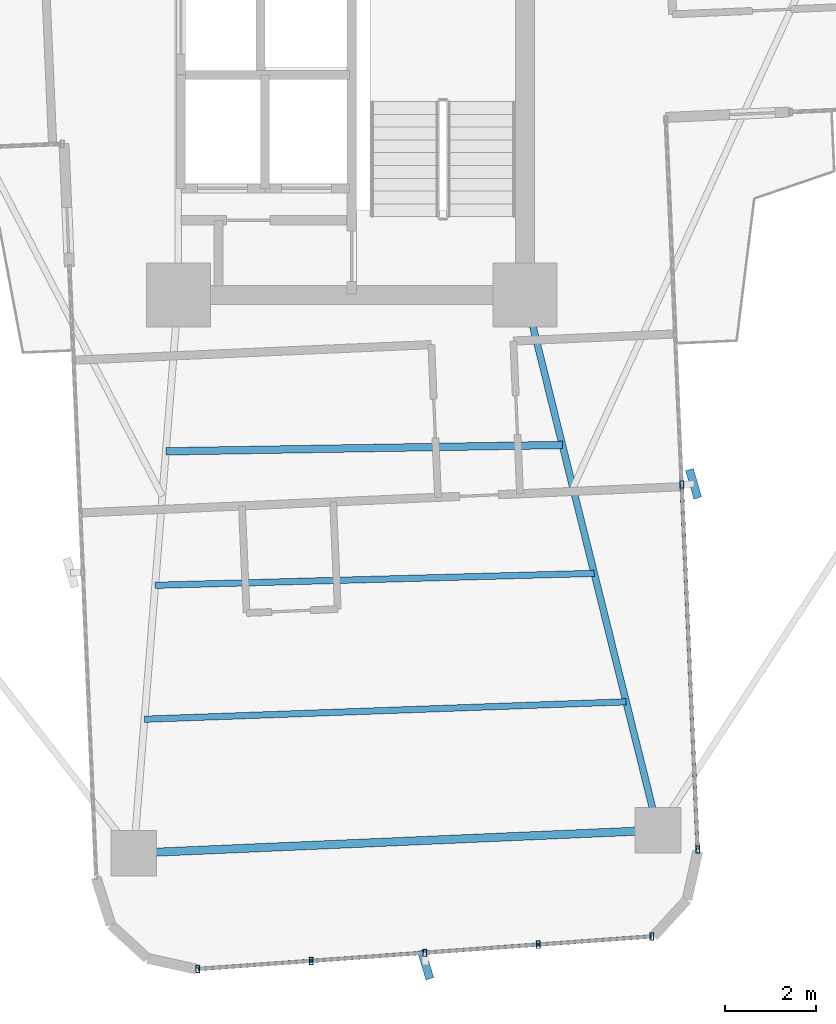
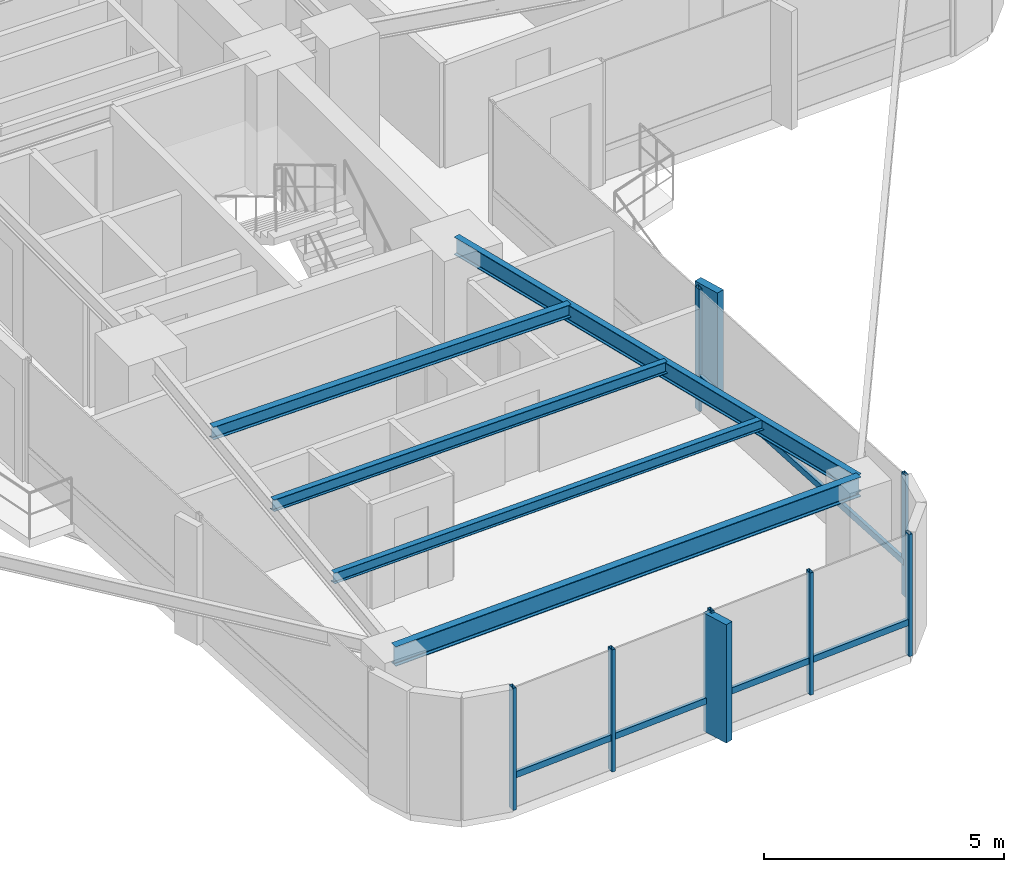
# One storey, part 6 of 26: 14 members, 5 beams, 2 elements without a shape of their own.
"""IFC4 building model written with IfcOpenShell, lengths in metres."""

from ifc_helpers import new_model, si_unit, direction, frame, origin, origin_2d, place, context, subcontext, project, spatial, rectangle, hollow_rectangle, i_section, extrude, source, transform, mapped, material, material_profile, profile_set, type_object, element, aggregate, save


model = new_model("IFC4")

# Units and contexts
model_context = context("Model", 3, precision=1e-05, world=origin(), true_north=direction((0.0, 1.0)))
body_context = subcontext(model_context, "Body", "Model", "MODEL_VIEW")
ifc_project = project(units=[si_unit("LENGTHUNIT", "METRE"), si_unit("AREAUNIT", "SQUARE_METRE"), si_unit("VOLUMEUNIT", "CUBIC_METRE"), si_unit("PLANEANGLEUNIT", "RADIAN"), si_unit("MASSUNIT", "GRAM", prefix="KILO")], contexts=[model_context])

# Site, building, storey
site_placement = place(None, origin())
site = spatial("IfcSite", under=ifc_project, at=site_placement, CompositionType="ELEMENT")
building_placement = place(site_placement, origin())
building = spatial("IfcBuilding", under=site, at=building_placement, Name="Sahyath Konkavel Grand Hotel", CompositionType="ELEMENT")
storey_placement = place(building_placement, frame((0.0, 0.0, 100.25)))
storey = spatial("IfcBuildingStorey", under=building, at=storey_placement, Name="L27", CompositionType="ELEMENT", Elevation=100.25)

# Beams
ifc_material_1 = material(Name="Steel E350", Category="steel")
ifc_material_profile_1 = material_profile(ifc_material_1, i_section(OverallWidth=0.14990234375, OverallDepth=0.449951171875, WebThickness=0.009521484375, FlangeThickness=0.017333984375, FilletRadius=0.014892578125, at=origin_2d()), Name="ISMB 450")
ifc_profile_set_1 = profile_set([ifc_material_profile_1], Name="Steel E350")
beam_type_1 = type_object("IfcBeamType", Name="BM-ISMB450", PredefinedType="BEAM", material=ifc_profile_set_1)
shared_shape_1 = source(origin(), body_context, "Body", "SweptSolid", [
    extrude(i_section(OverallWidth=0.14990234375, OverallDepth=0.449951171875, WebThickness=0.009521484375, FlangeThickness=0.017333984375, FilletRadius=0.014892578125, at=origin_2d()), origin(), (0.0, 0.0, 1.0), 12.084228515625),
])
beam_1_placement = place(storey_placement, frame((3.800048828125, -10.199951171875, 2.885009765625), z_axis=(0.241042688481, -0.970514514229, 0.0), x_axis=(0.970514514229, 0.241042688481, 0.0)))
element("IfcBeam", 1, at=beam_1_placement, inside=storey, type_object=beam_type_1, Name="L27 Cruciform Radial Girder SB", PredefinedType="BEAM", context=body_context, shape_type="MappedRepresentation", body=[
    mapped(shared_shape_1, transform((0.0, 0.0, 0.0), scale=1.0)),
])
ifc_material_profile_2 = material_profile(ifc_material_1, i_section(OverallWidth=0.179931640625, OverallDepth=0.5, WebThickness=0.01025390625, FlangeThickness=0.01708984375, FilletRadius=0.01708984375, at=origin_2d()), Name="ISMB 500")
ifc_profile_set_2 = profile_set([ifc_material_profile_2], Name="Steel E350")
beam_type_2 = type_object("IfcBeamType", Name="BM-ISMB500", PredefinedType="BEAM", material=ifc_profile_set_2)
shared_shape_2 = source(origin(), body_context, "Body", "SweptSolid", [
    extrude(i_section(OverallWidth=0.179931640625, OverallDepth=0.5, WebThickness=0.01025390625, FlangeThickness=0.01708984375, FilletRadius=0.01708984375, at=origin_2d()), origin(), (0.0, 0.0, 1.0), 11.5),
])
beam_2_placement = place(storey_placement, frame((-4.776123046875, -22.4296875, 2.860107421875), z_axis=(0.99904788879, 0.043627008892, 0.0), x_axis=(-0.043627008892, 0.99904788879, 0.0)))
element("IfcBeam", 2, at=beam_2_placement, inside=storey, type_object=beam_type_2, Name="L27 Wing Tip Edge Beam S", PredefinedType="BEAM", context=body_context, shape_type="MappedRepresentation", body=[
    mapped(shared_shape_2, transform((0.0, 0.0, 0.0), scale=1.0)),
])
ifc_material_profile_3 = material_profile(ifc_material_1, i_section(OverallWidth=0.1650390625, OverallDepth=0.324951171875, WebThickness=0.007080078125, FlangeThickness=0.009765625, FilletRadius=0.014892578125, at=origin_2d()), Name="ISLB 325")
ifc_profile_set_3 = profile_set([ifc_material_profile_3], Name="Steel E350")
beam_type_3 = type_object("IfcBeamType", Name="BM-ISLB325", PredefinedType="BEAM", material=ifc_profile_set_3)
shared_shape_3 = source(origin(), body_context, "Body", "SweptSolid", [
    extrude(i_section(OverallWidth=0.1650390625, OverallDepth=0.324951171875, WebThickness=0.007080078125, FlangeThickness=0.009765625, FilletRadius=0.014892578125, at=origin_2d()), origin(), (0.0, 0.0, 1.0), 8.68994140625),
])
beam_3_placement = place(storey_placement, frame((-4.0732421875, -13.624267578125, 2.947509765625), z_axis=(0.999869506431, 0.016154569283, 0.0), x_axis=(-0.016154569283, 0.999869506431, 0.0)))
element("IfcBeam", 3, at=beam_3_placement, inside=storey, type_object=beam_type_3, Name="L27 Secondary Floor Beam S-1", PredefinedType="BEAM", context=body_context, shape_type="MappedRepresentation", body=[
    mapped(shared_shape_3, transform((0.0, 0.0, 0.0), scale=1.0)),
])
ifc_material_profile_4 = material_profile(ifc_material_1, i_section(OverallWidth=0.139892578125, OverallDepth=0.300048828125, WebThickness=0.0078125, FlangeThickness=0.01318359375, FilletRadius=0.013916015625, at=origin_2d()), Name="ISMB 300")
ifc_profile_set_4 = profile_set([ifc_material_profile_4], Name="Steel E350")
beam_type_4 = type_object("IfcBeamType", Name="BM-ISMB300", PredefinedType="BEAM", material=ifc_profile_set_4)
shared_shape_4 = source(origin(), body_context, "Body", "SweptSolid", [
    extrude(i_section(OverallWidth=0.139892578125, OverallDepth=0.300048828125, WebThickness=0.0078125, FlangeThickness=0.01318359375, FilletRadius=0.013916015625, at=origin_2d()), origin(), (0.0, 0.0, 1.0), 9.625732421875),
])
beam_4_placement = place(storey_placement, frame((-4.3076171875, -16.559326171875, 2.9599609375), z_axis=(0.999633060528, 0.027087714933, 0.0), x_axis=(-0.027087714933, 0.999633060528, 0.0)))
element("IfcBeam", 4, at=beam_4_placement, inside=storey, type_object=beam_type_4, Name="L27 Secondary Floor Beam S-2", PredefinedType="BEAM", context=body_context, shape_type="MappedRepresentation", body=[
    mapped(shared_shape_4, transform((0.0, 0.0, 0.0), scale=1.0)),
])
ifc_material_profile_5 = material_profile(ifc_material_1, i_section(OverallWidth=0.139892578125, OverallDepth=0.27490234375, WebThickness=0.00634765625, FlangeThickness=0.0087890625, FilletRadius=0.012939453125, at=origin_2d()), Name="ISLB 275")
ifc_profile_set_5 = profile_set([ifc_material_profile_5], Name="Steel E350")
beam_type_5 = type_object("IfcBeamType", Name="BM-ISLB275", PredefinedType="BEAM", material=ifc_profile_set_5)
shared_shape_5 = source(origin(), body_context, "Body", "SweptSolid", [
    extrude(i_section(OverallWidth=0.139892578125, OverallDepth=0.27490234375, WebThickness=0.00634765625, FlangeThickness=0.0087890625, FilletRadius=0.012939453125, at=origin_2d()), origin(), (0.0, 0.0, 1.0), 10.562744140625),
])
beam_5_placement = place(storey_placement, frame((-4.5419921875, -19.49462890625, 2.972412109375), z_axis=(0.999348077295, 0.036102914095, 0.0), x_axis=(-0.036102914095, 0.999348077295, 0.0)))
element("IfcBeam", 5, at=beam_5_placement, inside=storey, type_object=beam_type_5, Name="L27 Secondary Floor Beam S-3", PredefinedType="BEAM", context=body_context, shape_type="MappedRepresentation", body=[
    mapped(shared_shape_5, transform((0.0, 0.0, 0.0), scale=1.0)),
])

# Curtain wall, member
ifc_material_2 = material(Name="Anodised Bronze Aluminium & Low-E Glazing", Category="aluminium")
curtain_wall_type = type_object("IfcCurtainWallType", Name="CW-ZONE2", PredefinedType="NOTDEFINED", material=ifc_material_2)
curtain_wall_1_placement = place(storey_placement, origin())
curtain_wall_1 = element("IfcCurtainWall", 6, at=curtain_wall_1_placement, inside=storey, type_object=curtain_wall_type, Name="L27 Unitised Curtain Wall F28", PredefinedType="NOTDEFINED")
ifc_material_3 = material(Name="Warm Buff Sandstone Cladding on Concrete C50/60", Category="masonry")
ifc_material_profile_6 = material_profile(ifc_material_3, rectangle(XDim=0.179931640625, YDim=0.64990234375, at=origin_2d()), Name="FIN 180x650")
ifc_profile_set_6 = profile_set([ifc_material_profile_6], Name="Warm Buff Sandstone Cladding on Concrete C50/60")
member_type_1 = type_object("IfcMemberType", Name="FIN-SANDSTONE-650", PredefinedType="MULLION", material=ifc_profile_set_6)
shared_shape_6 = source(origin(), body_context, "Body", "SweptSolid", [
    extrude(rectangle(XDim=0.179931640625, YDim=0.64990234375, at=origin_2d()), origin(), (0.0, 0.0, 1.0), 3.010009765625),
])
member_1_placement = place(storey_placement, frame((1.61865234375, -24.872314453125, 0.050048828125), z_axis=(0.0, 0.0, 1.0), x_axis=(0.956610402488, 0.291370104596, 0.0)))
member_1 = element("IfcMember", 7, at=member_1_placement, type_object=member_type_1, Name="L27 Sandstone Vertical Solar Fin FIN F28-2", PredefinedType="MULLION", context=body_context, shape_type="MappedRepresentation", body=[
    mapped(shared_shape_6, transform((0.0, 0.0, 0.0), scale=1.0)),
])

curtain_wall_2_placement = place(storey_placement, origin())
curtain_wall_2 = element("IfcCurtainWall", 8, at=curtain_wall_2_placement, inside=storey, type_object=curtain_wall_type, Name="L27 Unitised Curtain Wall F31", PredefinedType="NOTDEFINED")
member_2_placement = place(storey_placement, frame((7.492431640625, -14.3369140625, 0.050048828125), z_axis=(0.0, 0.0, 1.0), x_axis=(0.959854262938, 0.280499187022, 0.0)))
member_2 = element("IfcMember", 9, at=member_2_placement, type_object=member_type_1, Name="L27 Sandstone Vertical Solar Fin FIN F31-1", PredefinedType="MULLION", context=body_context, shape_type="MappedRepresentation", body=[
    mapped(shared_shape_6, transform((0.0, 0.0, 0.0), scale=1.0)),
])

# Member
ifc_material_4 = material(Name="Anodised Bronze Aluminium", Category="aluminium")
ifc_material_profile_7 = material_profile(ifc_material_4, hollow_rectangle(XDim=0.080078125, YDim=0.159912109375, WallThickness=0.006103515625, at=origin_2d()), Name="RHS 160x80x6")
ifc_profile_set_7 = profile_set([ifc_material_profile_7], Name="Anodised Bronze Aluminium")
member_type_2 = type_object("IfcMemberType", Name="CW-MUL-160", PredefinedType="MULLION", material=ifc_profile_set_7)
shared_shape_7 = source(origin(), body_context, "Body", "SweptSolid", [
    extrude(hollow_rectangle(XDim=0.080078125, YDim=0.159912109375, WallThickness=0.006103515625, at=origin_2d()), origin(), (0.0, 0.0, 1.0), 3.110107421875),
])
member_3_placement = place(storey_placement, frame((-3.3740234375, -24.9697265625, 0.0), z_axis=(0.0, 0.0, 1.0), x_axis=(1.0, 0.0, 0.0)))
member_3 = element("IfcMember", 10, at=member_3_placement, type_object=member_type_2, Name="L27 Curtain Wall Mullion F28-0", PredefinedType="MULLION", context=body_context, shape_type="MappedRepresentation", body=[
    mapped(shared_shape_7, transform((0.0, 0.0, 0.0), scale=1.0)),
])

member_4_placement = place(storey_placement, frame((-0.886962890625, -24.79150390625, 0.0), z_axis=(0.0, 0.0, 1.0), x_axis=(1.0, 0.0, 0.0)))
member_4 = element("IfcMember", 11, at=member_4_placement, type_object=member_type_2, Name="L27 Curtain Wall Mullion F28-1", PredefinedType="MULLION", context=body_context, shape_type="MappedRepresentation", body=[
    mapped(shared_shape_7, transform((0.0, 0.0, 0.0), scale=1.0)),
])

member_5_placement = place(storey_placement, frame((1.60009765625, -24.61279296875, 0.0), z_axis=(0.0, 0.0, 1.0), x_axis=(1.0, 0.0, 0.0)))
member_5 = element("IfcMember", 12, at=member_5_placement, type_object=member_type_2, Name="L27 Curtain Wall Mullion F28-2", PredefinedType="MULLION", context=body_context, shape_type="MappedRepresentation", body=[
    mapped(shared_shape_7, transform((0.0, 0.0, 0.0), scale=1.0)),
])

member_6_placement = place(storey_placement, frame((4.087158203125, -24.4345703125, 0.0), z_axis=(0.0, 0.0, 1.0), x_axis=(1.0, 0.0, 0.0)))
member_6 = element("IfcMember", 13, at=member_6_placement, type_object=member_type_2, Name="L27 Curtain Wall Mullion F28-3", PredefinedType="MULLION", context=body_context, shape_type="MappedRepresentation", body=[
    mapped(shared_shape_7, transform((0.0, 0.0, 0.0), scale=1.0)),
])

member_7_placement = place(storey_placement, frame((6.57421875, -24.256103515625, 0.0), z_axis=(0.0, 0.0, 1.0), x_axis=(1.0, 0.0, 0.0)))
member_7 = element("IfcMember", 14, at=member_7_placement, type_object=member_type_2, Name="L27 Curtain Wall Mullion F28-4", PredefinedType="MULLION", context=body_context, shape_type="MappedRepresentation", body=[
    mapped(shared_shape_7, transform((0.0, 0.0, 0.0), scale=1.0)),
])

member_8_placement = place(storey_placement, frame((7.582275390625, -22.3505859375, 0.0), z_axis=(0.0, 0.0, 1.0), x_axis=(1.0, 0.0, 0.0)))
member_8 = element("IfcMember", 15, at=member_8_placement, type_object=member_type_2, Name="L27 Curtain Wall Mullion F31-0", PredefinedType="MULLION", context=body_context, shape_type="MappedRepresentation", body=[
    mapped(shared_shape_7, transform((0.0, 0.0, 0.0), scale=1.0)),
])

member_9_placement = place(storey_placement, frame((7.232666015625, -14.34814453125, 0.0), z_axis=(0.0, 0.0, 1.0), x_axis=(1.0, 0.0, 0.0)))
member_9 = element("IfcMember", 16, at=member_9_placement, type_object=member_type_2, Name="L27 Curtain Wall Mullion F31-1", PredefinedType="MULLION", context=body_context, shape_type="MappedRepresentation", body=[
    mapped(shared_shape_7, transform((0.0, 0.0, 0.0), scale=1.0)),
])

ifc_material_profile_8 = material_profile(ifc_material_4, hollow_rectangle(XDim=0.080078125, YDim=0.159912109375, WallThickness=0.006103515625, at=origin_2d()), Name="RHS 160x80x6")
ifc_profile_set_8 = profile_set([ifc_material_profile_8], Name="Anodised Bronze Aluminium")
member_type_3 = type_object("IfcMemberType", Name="CW-TRN-160", PredefinedType="USERDEFINED", material=ifc_profile_set_8)
shared_shape_8 = source(origin(), body_context, "Body", "SweptSolid", [
    extrude(hollow_rectangle(XDim=0.080078125, YDim=0.159912109375, WallThickness=0.006103515625, at=origin_2d()), origin(), (0.0, 0.0, 1.0), 2.493408203125),
])
member_10_placement = place(storey_placement, frame((-3.3740234375, -24.9697265625, 0.85009765625), z_axis=(0.997442271688, 0.071476672066, 0.0), x_axis=(-0.071476672066, 0.997442271688, 0.0)))
member_10 = element("IfcMember", 17, at=member_10_placement, type_object=member_type_3, Name="L27 Curtain Wall Transom F28-0-spandrel", ObjectType="TRANSOM", PredefinedType="USERDEFINED", context=body_context, shape_type="MappedRepresentation", body=[
    mapped(shared_shape_8, transform((0.0, 0.0, 0.0), scale=1.0)),
])

member_11_placement = place(storey_placement, frame((-0.886962890625, -24.79150390625, 0.85009765625), z_axis=(0.997428291631, 0.071671494009, 0.0), x_axis=(-0.071671494009, 0.997428291631, 0.0)))
member_11 = element("IfcMember", 18, at=member_11_placement, type_object=member_type_3, Name="L27 Curtain Wall Transom F28-1-spandrel", ObjectType="TRANSOM", PredefinedType="USERDEFINED", context=body_context, shape_type="MappedRepresentation", body=[
    mapped(shared_shape_8, transform((0.0, 0.0, 0.0), scale=1.0)),
])

member_12_placement = place(storey_placement, frame((1.60009765625, -24.61279296875, 0.85009765625), z_axis=(0.997442271688, 0.071476672066, 0.0), x_axis=(-0.071476672066, 0.997442271688, 0.0)))
member_12 = element("IfcMember", 19, at=member_12_placement, type_object=member_type_3, Name="L27 Curtain Wall Transom F28-2-spandrel", ObjectType="TRANSOM", PredefinedType="USERDEFINED", context=body_context, shape_type="MappedRepresentation", body=[
    mapped(shared_shape_8, transform((0.0, 0.0, 0.0), scale=1.0)),
])

member_13_placement = place(storey_placement, frame((4.087158203125, -24.4345703125, 0.85009765625), z_axis=(0.997435286367, 0.071574084062, 0.0), x_axis=(-0.071574084062, 0.997435286367, 0.0)))
member_13 = element("IfcMember", 20, at=member_13_placement, type_object=member_type_3, Name="L27 Curtain Wall Transom F28-3-spandrel", ObjectType="TRANSOM", PredefinedType="USERDEFINED", context=body_context, shape_type="MappedRepresentation", body=[
    mapped(shared_shape_8, transform((0.0, 0.0, 0.0), scale=1.0)),
])

aggregate(curtain_wall_1, [member_3, member_4, member_5, member_1, member_6, member_7, member_10, member_11, member_12, member_13])

shared_shape_9 = source(origin(), body_context, "Body", "SweptSolid", [
    extrude(hollow_rectangle(XDim=0.080078125, YDim=0.159912109375, WallThickness=0.006103515625, at=origin_2d()), origin(), (0.0, 0.0, 1.0), 8.010009765625),
])
member_14_placement = place(storey_placement, frame((7.582275390625, -22.3505859375, 0.85009765625), z_axis=(-0.043646207089, 0.999047050247, 0.0), x_axis=(-0.999047050247, -0.043646207089, 0.0)))
member_14 = element("IfcMember", 21, at=member_14_placement, type_object=member_type_3, Name="L27 Curtain Wall Transom F31-0-spandrel", ObjectType="TRANSOM", PredefinedType="USERDEFINED", context=body_context, shape_type="MappedRepresentation", body=[
    mapped(shared_shape_9, transform((0.0, 0.0, 0.0), scale=1.0)),
])

aggregate(curtain_wall_2, [member_8, member_9, member_2, member_14])

save(model, "model.ifc")
